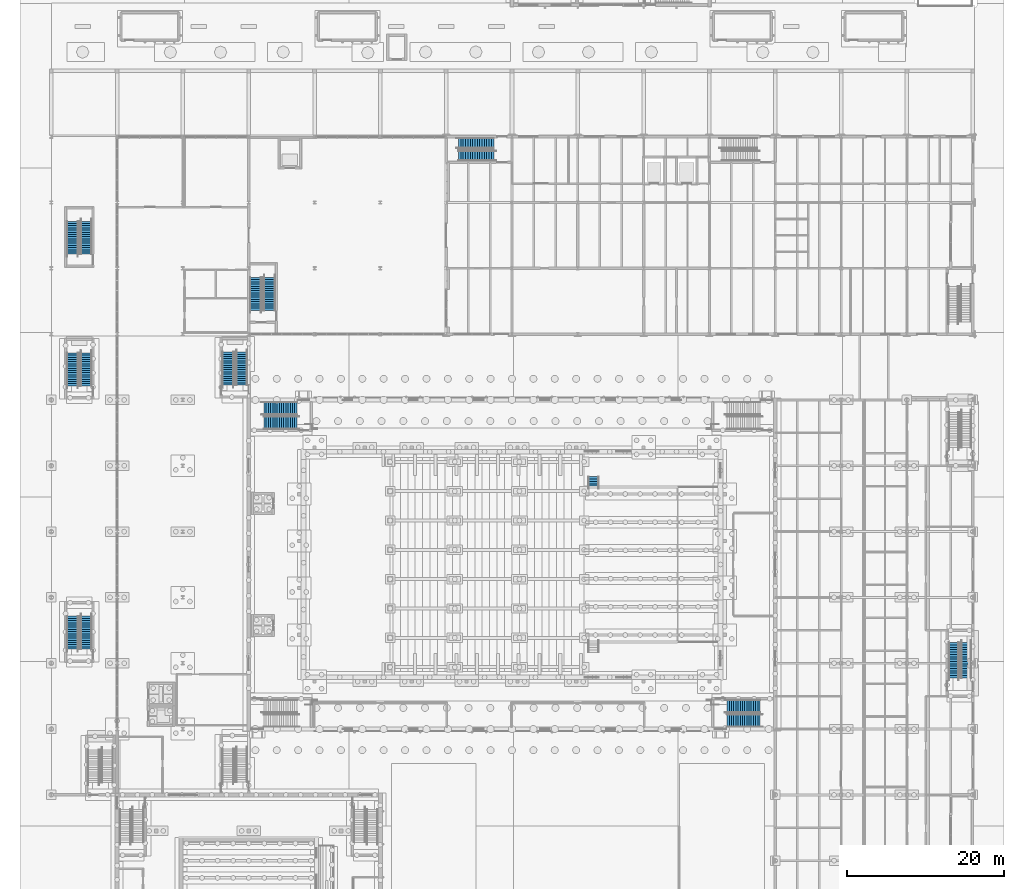
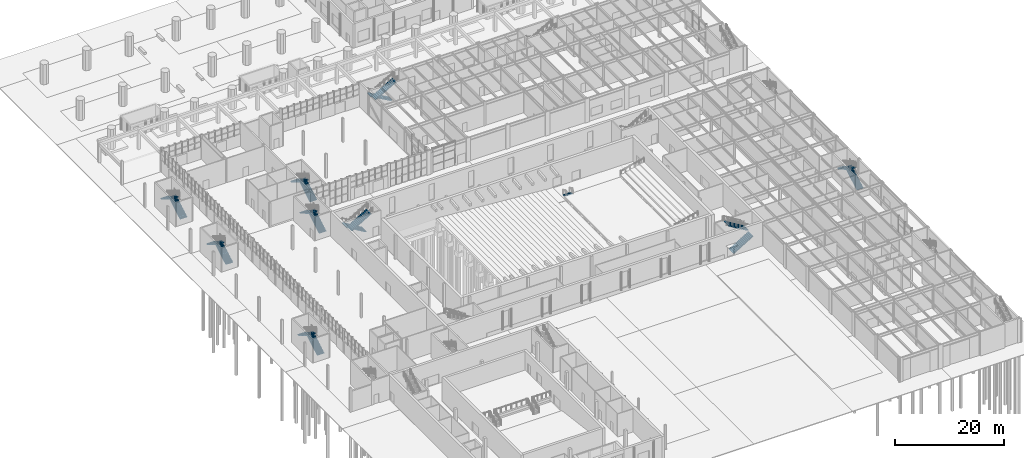
# One storey, part 79 of 127: 19 stair flights, 10 elements without a shape of their own.
"""IFC4 building model written with IfcOpenShell, lengths in metres."""

from ifc_helpers import new_model, si_unit, direction, frame, origin, place, context, subcontext, project, spatial, polyline, outline, extrude, material, type_object, element, aggregate, save


model = new_model("IFC4")

# Units and contexts
model_context = context("Model", 3, precision=1e-05, world=origin(), true_north=direction((0.0, 1.0)))
body_context = subcontext(model_context, "Body", "Model", "MODEL_VIEW")
ifc_project = project(units=[si_unit("LENGTHUNIT", "METRE"), si_unit("AREAUNIT", "SQUARE_METRE"), si_unit("VOLUMEUNIT", "CUBIC_METRE"), si_unit("PLANEANGLEUNIT", "RADIAN"), si_unit("MASSUNIT", "GRAM", prefix="KILO")], contexts=[model_context])

# Site, building, storey
site_placement = place(None, origin())
site = spatial("IfcSite", under=ifc_project, at=site_placement, CompositionType="ELEMENT")
building_placement = place(site_placement, origin())
building = spatial("IfcBuilding", under=site, at=building_placement, Name="Ljudholm Concert House", CompositionType="ELEMENT")
storey_placement = place(building_placement, origin())
storey = spatial("IfcBuildingStorey", under=building, at=storey_placement, Name="L00", CompositionType="ELEMENT", Elevation=0.0)

# Stair, stair flights
ifc_material_1 = material(Name="Concrete 5,000 psi", Category="concrete")
stair_type_1 = type_object("IfcStairType", Name="RC STAIR 1350x169x300", PredefinedType="HALF_TURN_STAIR", material=ifc_material_1)
stair_1_placement = place(storey_placement, origin())
stair_1 = element("IfcStair", 1, at=stair_1_placement, inside=storey, type_object=stair_type_1, Name="Stair SB3", PredefinedType="HALF_TURN_STAIR")
ifc_material_2 = material(Name="Concrete 5,000 psi", Category="concrete")
stair_flight_type_1 = type_object("IfcStairFlightType", Name="RC STAIR FLIGHT 1350x169x300", PredefinedType="STRAIGHT", material=ifc_material_2)
stair_flight_1_placement = place(storey_placement, frame((120.77490234375, 60.925048828125, 0.0), z_axis=(0.0, 0.0, 1.0), x_axis=(0.0, 1.0, 0.0)))
stair_flight_1 = element("IfcStairFlight", 2, at=stair_flight_1_placement, type_object=stair_flight_type_1, Name="ST-W00-003 flight 1", NumberOfRisers=16, NumberOfTreads=15, PredefinedType="STRAIGHT", RiserHeight=0.16875, TreadLength=0.3, context=body_context, shape_type="SweptSolid", body=[
    extrude(outline(polyline([(0.0, 0.0), (0.0, 0.168701171875), (0.300048828125, 0.168701171875), (0.300048828125, 0.33740234375), (0.60009765625, 0.33740234375), (0.60009765625, 0.50634765625), (0.89990234375, 0.50634765625), (0.89990234375, 0.675048828125), (1.199951171875, 0.675048828125), (1.199951171875, 0.84375), (1.5, 0.84375), (1.5, 1.012451171875), (1.800048828125, 1.012451171875), (1.800048828125, 1.18115234375), (2.10009765625, 1.18115234375), (2.10009765625, 1.35009765625), (2.39990234375, 1.35009765625), (2.39990234375, 1.518798828125), (2.699951171875, 1.518798828125), (2.699951171875, 1.6875), (3.0, 1.6875), (3.0, 1.856201171875), (3.300048828125, 1.856201171875), (3.300048828125, 2.02490234375), (3.60009765625, 2.02490234375), (3.60009765625, 2.19384765625), (3.89990234375, 2.19384765625), (3.89990234375, 2.362548828125), (4.199951171875, 2.362548828125), (4.199951171875, 2.53125), (4.5, 2.53125), (4.5, 2.699951171875), (4.5, 2.359375), (0.3056640625, 0.0), (0.0, 0.0)])), frame((0.0, 0.675048828125, 0.0), z_axis=(0.0, -1.0, 0.0), x_axis=(1.0, 0.0, 0.0)), (0.0, 0.0, 1.0), 1.35009765625),
])
stair_flight_2_placement = place(storey_placement, frame((119.175048828125, 65.425048828125, 2.699951171875), z_axis=(0.0, 0.0, 1.0), x_axis=(0.0, -1.0, 0.0)))
stair_flight_2 = element("IfcStairFlight", 3, at=stair_flight_2_placement, type_object=stair_flight_type_1, Name="ST-W00-003 flight 2", NumberOfRisers=16, NumberOfTreads=15, PredefinedType="STRAIGHT", RiserHeight=0.16875, TreadLength=0.3, context=body_context, shape_type="SweptSolid", body=[
    extrude(outline(polyline([(0.0, 0.0), (0.0, 0.168701171875), (0.300048828125, 0.168701171875), (0.300048828125, 0.33740234375), (0.60009765625, 0.33740234375), (0.60009765625, 0.50634765625), (0.89990234375, 0.50634765625), (0.89990234375, 0.675048828125), (1.199951171875, 0.675048828125), (1.199951171875, 0.84375), (1.5, 0.84375), (1.5, 1.012451171875), (1.800048828125, 1.012451171875), (1.800048828125, 1.18115234375), (2.10009765625, 1.18115234375), (2.10009765625, 1.35009765625), (2.39990234375, 1.35009765625), (2.39990234375, 1.518798828125), (2.699951171875, 1.518798828125), (2.699951171875, 1.6875), (3.0, 1.6875), (3.0, 1.856201171875), (3.300048828125, 1.856201171875), (3.300048828125, 2.02490234375), (3.60009765625, 2.02490234375), (3.60009765625, 2.19384765625), (3.89990234375, 2.19384765625), (3.89990234375, 2.362548828125), (4.199951171875, 2.362548828125), (4.199951171875, 2.53125), (4.5, 2.53125), (4.5, 2.699951171875), (4.5, 2.359375), (0.3056640625, 0.0), (0.0, 0.0)])), frame((0.0, 0.675048828125, 0.0), z_axis=(0.0, -1.0, 0.0), x_axis=(1.0, 0.0, 0.0)), (0.0, 0.0, 1.0), 1.35009765625),
])
aggregate(stair_1, [stair_flight_1, stair_flight_2])

stair_2_placement = place(storey_placement, origin())
stair_2 = element("IfcStair", 4, at=stair_2_placement, inside=storey, type_object=stair_type_1, Name="Stair R1", PredefinedType="HALF_TURN_STAIR")
stair_flight_3_placement = place(storey_placement, frame((60.47509765625, 129.175048828125, 0.0), z_axis=(0.0, 0.0, 1.0), x_axis=(-1.0, 0.0, 0.0)))
stair_flight_3 = element("IfcStairFlight", 5, at=stair_flight_3_placement, type_object=stair_flight_type_1, Name="ST-R00-001 flight 1", NumberOfRisers=16, NumberOfTreads=15, PredefinedType="STRAIGHT", RiserHeight=0.16875, TreadLength=0.3, context=body_context, shape_type="SweptSolid", body=[
    extrude(outline(polyline([(0.0, 0.0), (0.0, 0.168701171875), (0.300048828125, 0.168701171875), (0.300048828125, 0.33740234375), (0.60009765625, 0.33740234375), (0.60009765625, 0.50634765625), (0.89990234375, 0.50634765625), (0.89990234375, 0.675048828125), (1.199951171875, 0.675048828125), (1.199951171875, 0.84375), (1.5, 0.84375), (1.5, 1.012451171875), (1.800048828125, 1.012451171875), (1.800048828125, 1.18115234375), (2.10009765625, 1.18115234375), (2.10009765625, 1.35009765625), (2.39990234375, 1.35009765625), (2.39990234375, 1.518798828125), (2.699951171875, 1.518798828125), (2.699951171875, 1.6875), (3.0, 1.6875), (3.0, 1.856201171875), (3.300048828125, 1.856201171875), (3.300048828125, 2.02490234375), (3.60009765625, 2.02490234375), (3.60009765625, 2.19384765625), (3.89990234375, 2.19384765625), (3.89990234375, 2.362548828125), (4.199951171875, 2.362548828125), (4.199951171875, 2.53125), (4.5, 2.53125), (4.5, 2.699951171875), (4.5, 2.359375), (0.3056640625, 0.0), (0.0, 0.0)])), frame((0.0, 0.675048828125, 0.0), z_axis=(0.0, -1.0, 0.0), x_axis=(1.0, 0.0, 0.0)), (0.0, 0.0, 1.0), 1.35009765625),
])
stair_flight_4_placement = place(storey_placement, frame((55.97509765625, 127.574951171875, 2.699951171875), z_axis=(0.0, 0.0, 1.0), x_axis=(1.0, 0.0, 0.0)))
stair_flight_4 = element("IfcStairFlight", 6, at=stair_flight_4_placement, type_object=stair_flight_type_1, Name="ST-R00-001 flight 2", NumberOfRisers=16, NumberOfTreads=15, PredefinedType="STRAIGHT", RiserHeight=0.16875, TreadLength=0.3, context=body_context, shape_type="SweptSolid", body=[
    extrude(outline(polyline([(0.0, 0.0), (0.0, 0.168701171875), (0.300048828125, 0.168701171875), (0.300048828125, 0.33740234375), (0.60009765625, 0.33740234375), (0.60009765625, 0.50634765625), (0.89990234375, 0.50634765625), (0.89990234375, 0.675048828125), (1.199951171875, 0.675048828125), (1.199951171875, 0.84375), (1.5, 0.84375), (1.5, 1.012451171875), (1.800048828125, 1.012451171875), (1.800048828125, 1.18115234375), (2.10009765625, 1.18115234375), (2.10009765625, 1.35009765625), (2.39990234375, 1.35009765625), (2.39990234375, 1.518798828125), (2.699951171875, 1.518798828125), (2.699951171875, 1.6875), (3.0, 1.6875), (3.0, 1.856201171875), (3.300048828125, 1.856201171875), (3.300048828125, 2.02490234375), (3.60009765625, 2.02490234375), (3.60009765625, 2.19384765625), (3.89990234375, 2.19384765625), (3.89990234375, 2.362548828125), (4.199951171875, 2.362548828125), (4.199951171875, 2.53125), (4.5, 2.53125), (4.5, 2.699951171875), (4.5, 2.359375), (0.3056640625, 0.0), (0.0, 0.0)])), frame((0.0, 0.675048828125, 0.0), z_axis=(0.0, -1.0, 0.0), x_axis=(1.0, 0.0, 0.0)), (0.0, 0.0, 1.0), 1.35009765625),
])
aggregate(stair_2, [stair_flight_3, stair_flight_4])

# Stair, stair flight
ifc_material_3 = material(Name="Concrete 5,000 psi", Category="concrete")
stair_type_2 = type_object("IfcStairType", Name="RC STAIR 1400x150x300", PredefinedType="STRAIGHT_RUN_STAIR", material=ifc_material_3)
stair_3_placement = place(storey_placement, origin())
stair_3 = element("IfcStair", 7, at=stair_3_placement, inside=storey, type_object=stair_type_2, Name="Platform stair", PredefinedType="STRAIGHT_RUN_STAIR")
ifc_material_4 = material(Name="Concrete 5,000 psi", Category="concrete")
stair_flight_type_2 = type_object("IfcStairFlightType", Name="RC STAIR FLIGHT 1400x150x300", PredefinedType="STRAIGHT", material=ifc_material_4)
stair_flight_5_placement = place(storey_placement, frame((73.199951171875, 86.60009765625, 0.0), z_axis=(0.0, 0.0, 1.0), x_axis=(0.0, -1.0, 0.0)))
stair_flight_5 = element("IfcStairFlight", 8, at=stair_flight_5_placement, type_object=stair_flight_type_2, Name="ST-H00-006 flight 1", NumberOfRisers=5, NumberOfTreads=4, PredefinedType="STRAIGHT", RiserHeight=0.15, TreadLength=0.3, context=body_context, shape_type="SweptSolid", body=[
    extrude(outline(polyline([(0.0, 0.0), (0.0, 0.14990234375), (0.300048828125, 0.14990234375), (0.300048828125, 0.300048828125), (0.60009765625, 0.300048828125), (0.60009765625, 0.449951171875), (0.89990234375, 0.449951171875), (0.89990234375, 0.60009765625), (1.199951171875, 0.60009765625), (1.199951171875, 0.75), (1.199951171875, 0.432373046875), (0.335205078125, 0.0), (0.0, 0.0)])), frame((0.0, 0.699951171875, 0.0), z_axis=(0.0, -1.0, 0.0), x_axis=(1.0, 0.0, 0.0)), (0.0, 0.0, 1.0), 1.39990234375),
])
aggregate(stair_3, [stair_flight_5])

# Stair, stair flights
ifc_material_5 = material(Name="Concrete 5,000 psi", Category="concrete")
stair_type_3 = type_object("IfcStairType", Name="RC STAIR 1500x169x280", PredefinedType="HALF_TURN_STAIR", material=ifc_material_5)
stair_4_placement = place(storey_placement, origin())
stair_4 = element("IfcStair", 9, at=stair_4_placement, inside=storey, type_object=stair_type_3, Name="Stair", PredefinedType="HALF_TURN_STAIR")
ifc_material_6 = material(Name="Concrete 5,000 psi", Category="concrete")
stair_flight_type_3 = type_object("IfcStairFlightType", Name="RC STAIR FLIGHT 1500x169x280", PredefinedType="STRAIGHT", material=ifc_material_6)
stair_flight_6_placement = place(storey_placement, frame((28.300048828125, 98.300048828125, 0.0), z_axis=(0.0, 0.0, 1.0), x_axis=(0.0, 1.0, 0.0)))
stair_flight_6 = element("IfcStairFlight", 10, at=stair_flight_6_placement, type_object=stair_flight_type_3, Name="ST-S00-003 flight 1", NumberOfRisers=16, NumberOfTreads=15, PredefinedType="STRAIGHT", RiserHeight=0.16875, TreadLength=0.28, context=body_context, shape_type="SweptSolid", body=[
    extrude(outline(polyline([(0.0, 0.0), (0.0, 0.168701171875), (0.280029296875, 0.168701171875), (0.280029296875, 0.33740234375), (0.56005859375, 0.33740234375), (0.56005859375, 0.50634765625), (0.840087890625, 0.50634765625), (0.840087890625, 0.675048828125), (1.1201171875, 0.675048828125), (1.1201171875, 0.84375), (1.39990234375, 0.84375), (1.39990234375, 1.012451171875), (1.679931640625, 1.012451171875), (1.679931640625, 1.18115234375), (1.9599609375, 1.18115234375), (1.9599609375, 1.35009765625), (2.239990234375, 1.35009765625), (2.239990234375, 1.518798828125), (2.52001953125, 1.518798828125), (2.52001953125, 1.6875), (2.800048828125, 1.6875), (2.800048828125, 1.856201171875), (3.080078125, 1.856201171875), (3.080078125, 2.02490234375), (3.360107421875, 2.02490234375), (3.360107421875, 2.19384765625), (3.639892578125, 2.19384765625), (3.639892578125, 2.362548828125), (3.919921875, 2.362548828125), (3.919921875, 2.53125), (4.199951171875, 2.53125), (4.199951171875, 2.699951171875), (4.199951171875, 2.356201171875), (0.29052734375, 0.0), (0.0, 0.0)])), frame((0.0, 0.75, 0.0), z_axis=(0.0, -1.0, 0.0), x_axis=(1.0, 0.0, 0.0)), (0.0, 0.0, 1.0), 1.5),
])
stair_flight_7_placement = place(storey_placement, frame((26.550048828125, 102.5, 2.699951171875), z_axis=(0.0, 0.0, 1.0), x_axis=(0.0, -1.0, 0.0)))
stair_flight_7 = element("IfcStairFlight", 11, at=stair_flight_7_placement, type_object=stair_flight_type_3, Name="ST-S00-003 flight 2", NumberOfRisers=16, NumberOfTreads=15, PredefinedType="STRAIGHT", RiserHeight=0.16875, TreadLength=0.28, context=body_context, shape_type="SweptSolid", body=[
    extrude(outline(polyline([(0.0, 0.0), (0.0, 0.168701171875), (0.280029296875, 0.168701171875), (0.280029296875, 0.33740234375), (0.56005859375, 0.33740234375), (0.56005859375, 0.50634765625), (0.840087890625, 0.50634765625), (0.840087890625, 0.675048828125), (1.1201171875, 0.675048828125), (1.1201171875, 0.84375), (1.39990234375, 0.84375), (1.39990234375, 1.012451171875), (1.679931640625, 1.012451171875), (1.679931640625, 1.18115234375), (1.9599609375, 1.18115234375), (1.9599609375, 1.35009765625), (2.239990234375, 1.35009765625), (2.239990234375, 1.518798828125), (2.52001953125, 1.518798828125), (2.52001953125, 1.6875), (2.800048828125, 1.6875), (2.800048828125, 1.856201171875), (3.080078125, 1.856201171875), (3.080078125, 2.02490234375), (3.360107421875, 2.02490234375), (3.360107421875, 2.19384765625), (3.639892578125, 2.19384765625), (3.639892578125, 2.362548828125), (3.919921875, 2.362548828125), (3.919921875, 2.53125), (4.199951171875, 2.53125), (4.199951171875, 2.699951171875), (4.199951171875, 2.356201171875), (0.29052734375, 0.0), (0.0, 0.0)])), frame((0.0, 0.75, 0.0), z_axis=(0.0, -1.0, 0.0), x_axis=(1.0, 0.0, 0.0)), (0.0, 0.0, 1.0), 1.5),
])
aggregate(stair_4, [stair_flight_6, stair_flight_7])

stair_5_placement = place(storey_placement, origin())
stair_5 = element("IfcStair", 12, at=stair_5_placement, inside=storey, type_object=stair_type_3, Name="Stair", PredefinedType="HALF_TURN_STAIR")
stair_flight_8_placement = place(storey_placement, frame((8.449951171875, 64.60009765625, 0.0), z_axis=(0.0, 0.0, 1.0), x_axis=(0.0, 1.0, 0.0)))
stair_flight_8 = element("IfcStairFlight", 13, at=stair_flight_8_placement, type_object=stair_flight_type_3, Name="ST-S00-004 flight 1", NumberOfRisers=16, NumberOfTreads=15, PredefinedType="STRAIGHT", RiserHeight=0.16875, TreadLength=0.28, context=body_context, shape_type="SweptSolid", body=[
    extrude(outline(polyline([(0.0, 0.0), (0.0, 0.168701171875), (0.280029296875, 0.168701171875), (0.280029296875, 0.33740234375), (0.56005859375, 0.33740234375), (0.56005859375, 0.50634765625), (0.840087890625, 0.50634765625), (0.840087890625, 0.675048828125), (1.1201171875, 0.675048828125), (1.1201171875, 0.84375), (1.39990234375, 0.84375), (1.39990234375, 1.012451171875), (1.679931640625, 1.012451171875), (1.679931640625, 1.18115234375), (1.9599609375, 1.18115234375), (1.9599609375, 1.35009765625), (2.239990234375, 1.35009765625), (2.239990234375, 1.518798828125), (2.52001953125, 1.518798828125), (2.52001953125, 1.6875), (2.800048828125, 1.6875), (2.800048828125, 1.856201171875), (3.080078125, 1.856201171875), (3.080078125, 2.02490234375), (3.360107421875, 2.02490234375), (3.360107421875, 2.19384765625), (3.639892578125, 2.19384765625), (3.639892578125, 2.362548828125), (3.919921875, 2.362548828125), (3.919921875, 2.53125), (4.199951171875, 2.53125), (4.199951171875, 2.699951171875), (4.199951171875, 2.356201171875), (0.29052734375, 0.0), (0.0, 0.0)])), frame((0.0, 0.75, 0.0), z_axis=(0.0, -1.0, 0.0), x_axis=(1.0, 0.0, 0.0)), (0.0, 0.0, 1.0), 1.5),
])
stair_flight_9_placement = place(storey_placement, frame((6.699951171875, 68.800048828125, 2.699951171875), z_axis=(0.0, 0.0, 1.0), x_axis=(0.0, -1.0, 0.0)))
stair_flight_9 = element("IfcStairFlight", 14, at=stair_flight_9_placement, type_object=stair_flight_type_3, Name="ST-S00-004 flight 2", NumberOfRisers=16, NumberOfTreads=15, PredefinedType="STRAIGHT", RiserHeight=0.16875, TreadLength=0.28, context=body_context, shape_type="SweptSolid", body=[
    extrude(outline(polyline([(0.0, 0.0), (0.0, 0.168701171875), (0.280029296875, 0.168701171875), (0.280029296875, 0.33740234375), (0.56005859375, 0.33740234375), (0.56005859375, 0.50634765625), (0.840087890625, 0.50634765625), (0.840087890625, 0.675048828125), (1.1201171875, 0.675048828125), (1.1201171875, 0.84375), (1.39990234375, 0.84375), (1.39990234375, 1.012451171875), (1.679931640625, 1.012451171875), (1.679931640625, 1.18115234375), (1.9599609375, 1.18115234375), (1.9599609375, 1.35009765625), (2.239990234375, 1.35009765625), (2.239990234375, 1.518798828125), (2.52001953125, 1.518798828125), (2.52001953125, 1.6875), (2.800048828125, 1.6875), (2.800048828125, 1.856201171875), (3.080078125, 1.856201171875), (3.080078125, 2.02490234375), (3.360107421875, 2.02490234375), (3.360107421875, 2.19384765625), (3.639892578125, 2.19384765625), (3.639892578125, 2.362548828125), (3.919921875, 2.362548828125), (3.919921875, 2.53125), (4.199951171875, 2.53125), (4.199951171875, 2.699951171875), (4.199951171875, 2.356201171875), (0.29052734375, 0.0), (0.0, 0.0)])), frame((0.0, 0.75, 0.0), z_axis=(0.0, -1.0, 0.0), x_axis=(1.0, 0.0, 0.0)), (0.0, 0.0, 1.0), 1.5),
])
aggregate(stair_5, [stair_flight_8, stair_flight_9])

stair_6_placement = place(storey_placement, origin())
stair_6 = element("IfcStair", 15, at=stair_6_placement, inside=storey, type_object=stair_type_3, Name="Stair", PredefinedType="HALF_TURN_STAIR")
stair_flight_10_placement = place(storey_placement, frame((8.449951171875, 98.199951171875, 0.0), z_axis=(0.0, 0.0, 1.0), x_axis=(0.0, 1.0, 0.0)))
stair_flight_10 = element("IfcStairFlight", 16, at=stair_flight_10_placement, type_object=stair_flight_type_3, Name="ST-S00-005 flight 1", NumberOfRisers=16, NumberOfTreads=15, PredefinedType="STRAIGHT", RiserHeight=0.16875, TreadLength=0.28, context=body_context, shape_type="SweptSolid", body=[
    extrude(outline(polyline([(0.0, 0.0), (0.0, 0.168701171875), (0.280029296875, 0.168701171875), (0.280029296875, 0.33740234375), (0.56005859375, 0.33740234375), (0.56005859375, 0.50634765625), (0.840087890625, 0.50634765625), (0.840087890625, 0.675048828125), (1.1201171875, 0.675048828125), (1.1201171875, 0.84375), (1.39990234375, 0.84375), (1.39990234375, 1.012451171875), (1.679931640625, 1.012451171875), (1.679931640625, 1.18115234375), (1.9599609375, 1.18115234375), (1.9599609375, 1.35009765625), (2.239990234375, 1.35009765625), (2.239990234375, 1.518798828125), (2.52001953125, 1.518798828125), (2.52001953125, 1.6875), (2.800048828125, 1.6875), (2.800048828125, 1.856201171875), (3.080078125, 1.856201171875), (3.080078125, 2.02490234375), (3.360107421875, 2.02490234375), (3.360107421875, 2.19384765625), (3.639892578125, 2.19384765625), (3.639892578125, 2.362548828125), (3.919921875, 2.362548828125), (3.919921875, 2.53125), (4.199951171875, 2.53125), (4.199951171875, 2.699951171875), (4.199951171875, 2.356201171875), (0.29052734375, 0.0), (0.0, 0.0)])), frame((0.0, 0.75, 0.0), z_axis=(0.0, -1.0, 0.0), x_axis=(1.0, 0.0, 0.0)), (0.0, 0.0, 1.0), 1.5),
])
stair_flight_11_placement = place(storey_placement, frame((6.699951171875, 102.39990234375, 2.699951171875), z_axis=(0.0, 0.0, 1.0), x_axis=(0.0, -1.0, 0.0)))
stair_flight_11 = element("IfcStairFlight", 17, at=stair_flight_11_placement, type_object=stair_flight_type_3, Name="ST-S00-005 flight 2", NumberOfRisers=16, NumberOfTreads=15, PredefinedType="STRAIGHT", RiserHeight=0.16875, TreadLength=0.28, context=body_context, shape_type="SweptSolid", body=[
    extrude(outline(polyline([(0.0, 0.0), (0.0, 0.168701171875), (0.280029296875, 0.168701171875), (0.280029296875, 0.33740234375), (0.56005859375, 0.33740234375), (0.56005859375, 0.50634765625), (0.840087890625, 0.50634765625), (0.840087890625, 0.675048828125), (1.1201171875, 0.675048828125), (1.1201171875, 0.84375), (1.39990234375, 0.84375), (1.39990234375, 1.012451171875), (1.679931640625, 1.012451171875), (1.679931640625, 1.18115234375), (1.9599609375, 1.18115234375), (1.9599609375, 1.35009765625), (2.239990234375, 1.35009765625), (2.239990234375, 1.518798828125), (2.52001953125, 1.518798828125), (2.52001953125, 1.6875), (2.800048828125, 1.6875), (2.800048828125, 1.856201171875), (3.080078125, 1.856201171875), (3.080078125, 2.02490234375), (3.360107421875, 2.02490234375), (3.360107421875, 2.19384765625), (3.639892578125, 2.19384765625), (3.639892578125, 2.362548828125), (3.919921875, 2.362548828125), (3.919921875, 2.53125), (4.199951171875, 2.53125), (4.199951171875, 2.699951171875), (4.199951171875, 2.356201171875), (0.29052734375, 0.0), (0.0, 0.0)])), frame((0.0, 0.75, 0.0), z_axis=(0.0, -1.0, 0.0), x_axis=(1.0, 0.0, 0.0)), (0.0, 0.0, 1.0), 1.5),
])
aggregate(stair_6, [stair_flight_10, stair_flight_11])

stair_7_placement = place(storey_placement, origin())
stair_7 = element("IfcStair", 18, at=stair_7_placement, inside=storey, type_object=stair_type_3, Name="Stair", PredefinedType="HALF_TURN_STAIR")
stair_flight_12_placement = place(storey_placement, frame((8.449951171875, 115.0, 0.0), z_axis=(0.0, 0.0, 1.0), x_axis=(0.0, 1.0, 0.0)))
stair_flight_12 = element("IfcStairFlight", 19, at=stair_flight_12_placement, type_object=stair_flight_type_3, Name="ST-S00-006 flight 1", NumberOfRisers=16, NumberOfTreads=15, PredefinedType="STRAIGHT", RiserHeight=0.16875, TreadLength=0.28, context=body_context, shape_type="SweptSolid", body=[
    extrude(outline(polyline([(0.0, 0.0), (0.0, 0.168701171875), (0.280029296875, 0.168701171875), (0.280029296875, 0.33740234375), (0.56005859375, 0.33740234375), (0.56005859375, 0.50634765625), (0.840087890625, 0.50634765625), (0.840087890625, 0.675048828125), (1.1201171875, 0.675048828125), (1.1201171875, 0.84375), (1.39990234375, 0.84375), (1.39990234375, 1.012451171875), (1.679931640625, 1.012451171875), (1.679931640625, 1.18115234375), (1.9599609375, 1.18115234375), (1.9599609375, 1.35009765625), (2.239990234375, 1.35009765625), (2.239990234375, 1.518798828125), (2.52001953125, 1.518798828125), (2.52001953125, 1.6875), (2.800048828125, 1.6875), (2.800048828125, 1.856201171875), (3.080078125, 1.856201171875), (3.080078125, 2.02490234375), (3.360107421875, 2.02490234375), (3.360107421875, 2.19384765625), (3.639892578125, 2.19384765625), (3.639892578125, 2.362548828125), (3.919921875, 2.362548828125), (3.919921875, 2.53125), (4.199951171875, 2.53125), (4.199951171875, 2.699951171875), (4.199951171875, 2.356201171875), (0.29052734375, 0.0), (0.0, 0.0)])), frame((0.0, 0.75, 0.0), z_axis=(0.0, -1.0, 0.0), x_axis=(1.0, 0.0, 0.0)), (0.0, 0.0, 1.0), 1.5),
])
stair_flight_13_placement = place(storey_placement, frame((6.699951171875, 119.199951171875, 2.699951171875), z_axis=(0.0, 0.0, 1.0), x_axis=(0.0, -1.0, 0.0)))
stair_flight_13 = element("IfcStairFlight", 20, at=stair_flight_13_placement, type_object=stair_flight_type_3, Name="ST-S00-006 flight 2", NumberOfRisers=16, NumberOfTreads=15, PredefinedType="STRAIGHT", RiserHeight=0.16875, TreadLength=0.28, context=body_context, shape_type="SweptSolid", body=[
    extrude(outline(polyline([(0.0, 0.0), (0.0, 0.168701171875), (0.280029296875, 0.168701171875), (0.280029296875, 0.33740234375), (0.56005859375, 0.33740234375), (0.56005859375, 0.50634765625), (0.840087890625, 0.50634765625), (0.840087890625, 0.675048828125), (1.1201171875, 0.675048828125), (1.1201171875, 0.84375), (1.39990234375, 0.84375), (1.39990234375, 1.012451171875), (1.679931640625, 1.012451171875), (1.679931640625, 1.18115234375), (1.9599609375, 1.18115234375), (1.9599609375, 1.35009765625), (2.239990234375, 1.35009765625), (2.239990234375, 1.518798828125), (2.52001953125, 1.518798828125), (2.52001953125, 1.6875), (2.800048828125, 1.6875), (2.800048828125, 1.856201171875), (3.080078125, 1.856201171875), (3.080078125, 2.02490234375), (3.360107421875, 2.02490234375), (3.360107421875, 2.19384765625), (3.639892578125, 2.19384765625), (3.639892578125, 2.362548828125), (3.919921875, 2.362548828125), (3.919921875, 2.53125), (4.199951171875, 2.53125), (4.199951171875, 2.699951171875), (4.199951171875, 2.356201171875), (0.29052734375, 0.0), (0.0, 0.0)])), frame((0.0, 0.75, 0.0), z_axis=(0.0, -1.0, 0.0), x_axis=(1.0, 0.0, 0.0)), (0.0, 0.0, 1.0), 1.5),
])
aggregate(stair_7, [stair_flight_12, stair_flight_13])

stair_8_placement = place(storey_placement, origin())
stair_8 = element("IfcStair", 21, at=stair_8_placement, inside=storey, type_object=stair_type_3, Name="Stair", PredefinedType="HALF_TURN_STAIR")
stair_flight_14_placement = place(storey_placement, frame((31.85009765625, 107.830078125, 0.0), z_axis=(0.0, 0.0, 1.0), x_axis=(0.0, 1.0, 0.0)))
stair_flight_14 = element("IfcStairFlight", 22, at=stair_flight_14_placement, type_object=stair_flight_type_3, Name="ST-G00-001 flight 1", NumberOfRisers=16, NumberOfTreads=15, PredefinedType="STRAIGHT", RiserHeight=0.16875, TreadLength=0.28, context=body_context, shape_type="SweptSolid", body=[
    extrude(outline(polyline([(0.0, 0.0), (0.0, 0.168701171875), (0.280029296875, 0.168701171875), (0.280029296875, 0.33740234375), (0.56005859375, 0.33740234375), (0.56005859375, 0.50634765625), (0.840087890625, 0.50634765625), (0.840087890625, 0.675048828125), (1.1201171875, 0.675048828125), (1.1201171875, 0.84375), (1.39990234375, 0.84375), (1.39990234375, 1.012451171875), (1.679931640625, 1.012451171875), (1.679931640625, 1.18115234375), (1.9599609375, 1.18115234375), (1.9599609375, 1.35009765625), (2.239990234375, 1.35009765625), (2.239990234375, 1.518798828125), (2.52001953125, 1.518798828125), (2.52001953125, 1.6875), (2.800048828125, 1.6875), (2.800048828125, 1.856201171875), (3.080078125, 1.856201171875), (3.080078125, 2.02490234375), (3.360107421875, 2.02490234375), (3.360107421875, 2.19384765625), (3.639892578125, 2.19384765625), (3.639892578125, 2.362548828125), (3.919921875, 2.362548828125), (3.919921875, 2.53125), (4.199951171875, 2.53125), (4.199951171875, 2.699951171875), (4.199951171875, 2.356201171875), (0.29052734375, 0.0), (0.0, 0.0)])), frame((0.0, 0.75, 0.0), z_axis=(0.0, -1.0, 0.0), x_axis=(1.0, 0.0, 0.0)), (0.0, 0.0, 1.0), 1.5),
])
stair_flight_15_placement = place(storey_placement, frame((30.10009765625, 112.030029296875, 2.699951171875), z_axis=(0.0, 0.0, 1.0), x_axis=(0.0, -1.0, 0.0)))
stair_flight_15 = element("IfcStairFlight", 23, at=stair_flight_15_placement, type_object=stair_flight_type_3, Name="ST-G00-001 flight 2", NumberOfRisers=16, NumberOfTreads=15, PredefinedType="STRAIGHT", RiserHeight=0.16875, TreadLength=0.28, context=body_context, shape_type="SweptSolid", body=[
    extrude(outline(polyline([(0.0, 0.0), (0.0, 0.168701171875), (0.280029296875, 0.168701171875), (0.280029296875, 0.33740234375), (0.56005859375, 0.33740234375), (0.56005859375, 0.50634765625), (0.840087890625, 0.50634765625), (0.840087890625, 0.675048828125), (1.1201171875, 0.675048828125), (1.1201171875, 0.84375), (1.39990234375, 0.84375), (1.39990234375, 1.012451171875), (1.679931640625, 1.012451171875), (1.679931640625, 1.18115234375), (1.9599609375, 1.18115234375), (1.9599609375, 1.35009765625), (2.239990234375, 1.35009765625), (2.239990234375, 1.518798828125), (2.52001953125, 1.518798828125), (2.52001953125, 1.6875), (2.800048828125, 1.6875), (2.800048828125, 1.856201171875), (3.080078125, 1.856201171875), (3.080078125, 2.02490234375), (3.360107421875, 2.02490234375), (3.360107421875, 2.19384765625), (3.639892578125, 2.19384765625), (3.639892578125, 2.362548828125), (3.919921875, 2.362548828125), (3.919921875, 2.53125), (4.199951171875, 2.53125), (4.199951171875, 2.699951171875), (4.199951171875, 2.356201171875), (0.29052734375, 0.0), (0.0, 0.0)])), frame((0.0, 0.75, 0.0), z_axis=(0.0, -1.0, 0.0), x_axis=(1.0, 0.0, 0.0)), (0.0, 0.0, 1.0), 1.5),
])
aggregate(stair_8, [stair_flight_14, stair_flight_15])

ifc_material_7 = material(Name="Concrete 5,000 psi", Category="concrete")
stair_type_4 = type_object("IfcStairType", Name="RC STAIR 1700x169x280", PredefinedType="HALF_TURN_STAIR", material=ifc_material_7)
stair_9_placement = place(storey_placement, origin())
stair_9 = element("IfcStair", 24, at=stair_9_placement, inside=storey, type_object=stair_type_4, Name="Exit stair EH2", PredefinedType="HALF_TURN_STAIR")
ifc_material_8 = material(Name="Concrete 5,000 psi", Category="concrete")
stair_flight_type_4 = type_object("IfcStairFlightType", Name="RC STAIR FLIGHT 1700x169x280", PredefinedType="STRAIGHT", material=ifc_material_8)
stair_flight_16_placement = place(storey_placement, frame((35.35009765625, 95.300048828125, 0.0), z_axis=(0.0, 0.0, 1.0), x_axis=(-1.0, 0.0, 0.0)))
stair_flight_16 = element("IfcStairFlight", 25, at=stair_flight_16_placement, type_object=stair_flight_type_4, Name="ST-H00-002 flight 1", NumberOfRisers=16, NumberOfTreads=15, PredefinedType="STRAIGHT", RiserHeight=0.16875, TreadLength=0.28, context=body_context, shape_type="SweptSolid", body=[
    extrude(outline(polyline([(0.0, 0.0), (0.0, 0.168701171875), (0.280029296875, 0.168701171875), (0.280029296875, 0.33740234375), (0.56005859375, 0.33740234375), (0.56005859375, 0.50634765625), (0.840087890625, 0.50634765625), (0.840087890625, 0.675048828125), (1.1201171875, 0.675048828125), (1.1201171875, 0.84375), (1.39990234375, 0.84375), (1.39990234375, 1.012451171875), (1.679931640625, 1.012451171875), (1.679931640625, 1.18115234375), (1.9599609375, 1.18115234375), (1.9599609375, 1.35009765625), (2.239990234375, 1.35009765625), (2.239990234375, 1.518798828125), (2.52001953125, 1.518798828125), (2.52001953125, 1.6875), (2.800048828125, 1.6875), (2.800048828125, 1.856201171875), (3.080078125, 1.856201171875), (3.080078125, 2.02490234375), (3.360107421875, 2.02490234375), (3.360107421875, 2.19384765625), (3.639892578125, 2.19384765625), (3.639892578125, 2.362548828125), (3.919921875, 2.362548828125), (3.919921875, 2.53125), (4.199951171875, 2.53125), (4.199951171875, 2.699951171875), (4.199951171875, 2.356201171875), (0.29052734375, 0.0), (0.0, 0.0)])), frame((0.0, 0.85009765625, 0.0), z_axis=(0.0, -1.0, 0.0), x_axis=(1.0, 0.0, 0.0)), (0.0, 0.0, 1.0), 1.699951171875),
])
stair_flight_17_placement = place(storey_placement, frame((31.14990234375, 93.5, 2.699951171875), z_axis=(0.0, 0.0, 1.0), x_axis=(1.0, 0.0, 0.0)))
stair_flight_17 = element("IfcStairFlight", 26, at=stair_flight_17_placement, type_object=stair_flight_type_4, Name="ST-H00-002 flight 2", NumberOfRisers=16, NumberOfTreads=15, PredefinedType="STRAIGHT", RiserHeight=0.16875, TreadLength=0.28, context=body_context, shape_type="SweptSolid", body=[
    extrude(outline(polyline([(0.0, 0.0), (0.0, 0.168701171875), (0.280029296875, 0.168701171875), (0.280029296875, 0.33740234375), (0.56005859375, 0.33740234375), (0.56005859375, 0.50634765625), (0.840087890625, 0.50634765625), (0.840087890625, 0.675048828125), (1.1201171875, 0.675048828125), (1.1201171875, 0.84375), (1.39990234375, 0.84375), (1.39990234375, 1.012451171875), (1.679931640625, 1.012451171875), (1.679931640625, 1.18115234375), (1.9599609375, 1.18115234375), (1.9599609375, 1.35009765625), (2.239990234375, 1.35009765625), (2.239990234375, 1.518798828125), (2.52001953125, 1.518798828125), (2.52001953125, 1.6875), (2.800048828125, 1.6875), (2.800048828125, 1.856201171875), (3.080078125, 1.856201171875), (3.080078125, 2.02490234375), (3.360107421875, 2.02490234375), (3.360107421875, 2.19384765625), (3.639892578125, 2.19384765625), (3.639892578125, 2.362548828125), (3.919921875, 2.362548828125), (3.919921875, 2.53125), (4.199951171875, 2.53125), (4.199951171875, 2.699951171875), (4.199951171875, 2.356201171875), (0.29052734375, 0.0), (0.0, 0.0)])), frame((0.0, 0.85009765625, 0.0), z_axis=(0.0, -1.0, 0.0), x_axis=(1.0, 0.0, 0.0)), (0.0, 0.0, 1.0), 1.699951171875),
])
aggregate(stair_9, [stair_flight_16, stair_flight_17])

stair_10_placement = place(storey_placement, origin())
stair_10 = element("IfcStair", 27, at=stair_10_placement, inside=storey, type_object=stair_type_4, Name="Exit stair EH3", PredefinedType="HALF_TURN_STAIR")
stair_flight_18_placement = place(storey_placement, frame((90.25, 55.5, 0.0), z_axis=(0.0, 0.0, 1.0), x_axis=(1.0, 0.0, 0.0)))
stair_flight_18 = element("IfcStairFlight", 28, at=stair_flight_18_placement, type_object=stair_flight_type_4, Name="ST-H00-003 flight 1", NumberOfRisers=16, NumberOfTreads=15, PredefinedType="STRAIGHT", RiserHeight=0.16875, TreadLength=0.28, context=body_context, shape_type="SweptSolid", body=[
    extrude(outline(polyline([(0.0, 0.0), (0.0, 0.168701171875), (0.280029296875, 0.168701171875), (0.280029296875, 0.33740234375), (0.56005859375, 0.33740234375), (0.56005859375, 0.50634765625), (0.840087890625, 0.50634765625), (0.840087890625, 0.675048828125), (1.1201171875, 0.675048828125), (1.1201171875, 0.84375), (1.39990234375, 0.84375), (1.39990234375, 1.012451171875), (1.679931640625, 1.012451171875), (1.679931640625, 1.18115234375), (1.9599609375, 1.18115234375), (1.9599609375, 1.35009765625), (2.239990234375, 1.35009765625), (2.239990234375, 1.518798828125), (2.52001953125, 1.518798828125), (2.52001953125, 1.6875), (2.800048828125, 1.6875), (2.800048828125, 1.856201171875), (3.080078125, 1.856201171875), (3.080078125, 2.02490234375), (3.360107421875, 2.02490234375), (3.360107421875, 2.19384765625), (3.639892578125, 2.19384765625), (3.639892578125, 2.362548828125), (3.919921875, 2.362548828125), (3.919921875, 2.53125), (4.199951171875, 2.53125), (4.199951171875, 2.699951171875), (4.199951171875, 2.356201171875), (0.29052734375, 0.0), (0.0, 0.0)])), frame((0.0, 0.85009765625, 0.0), z_axis=(0.0, -1.0, 0.0), x_axis=(1.0, 0.0, 0.0)), (0.0, 0.0, 1.0), 1.699951171875),
])
stair_flight_19_placement = place(storey_placement, frame((94.449951171875, 57.300048828125, 2.699951171875), z_axis=(0.0, 0.0, 1.0), x_axis=(-1.0, 0.0, 0.0)))
stair_flight_19 = element("IfcStairFlight", 29, at=stair_flight_19_placement, type_object=stair_flight_type_4, Name="ST-H00-003 flight 2", NumberOfRisers=16, NumberOfTreads=15, PredefinedType="STRAIGHT", RiserHeight=0.16875, TreadLength=0.28, context=body_context, shape_type="SweptSolid", body=[
    extrude(outline(polyline([(0.0, 0.0), (0.0, 0.168701171875), (0.280029296875, 0.168701171875), (0.280029296875, 0.33740234375), (0.56005859375, 0.33740234375), (0.56005859375, 0.50634765625), (0.840087890625, 0.50634765625), (0.840087890625, 0.675048828125), (1.1201171875, 0.675048828125), (1.1201171875, 0.84375), (1.39990234375, 0.84375), (1.39990234375, 1.012451171875), (1.679931640625, 1.012451171875), (1.679931640625, 1.18115234375), (1.9599609375, 1.18115234375), (1.9599609375, 1.35009765625), (2.239990234375, 1.35009765625), (2.239990234375, 1.518798828125), (2.52001953125, 1.518798828125), (2.52001953125, 1.6875), (2.800048828125, 1.6875), (2.800048828125, 1.856201171875), (3.080078125, 1.856201171875), (3.080078125, 2.02490234375), (3.360107421875, 2.02490234375), (3.360107421875, 2.19384765625), (3.639892578125, 2.19384765625), (3.639892578125, 2.362548828125), (3.919921875, 2.362548828125), (3.919921875, 2.53125), (4.199951171875, 2.53125), (4.199951171875, 2.699951171875), (4.199951171875, 2.356201171875), (0.29052734375, 0.0), (0.0, 0.0)])), frame((0.0, 0.85009765625, 0.0), z_axis=(0.0, -1.0, 0.0), x_axis=(1.0, 0.0, 0.0)), (0.0, 0.0, 1.0), 1.699951171875),
])
aggregate(stair_10, [stair_flight_18, stair_flight_19])

save(model, "model.ifc")
